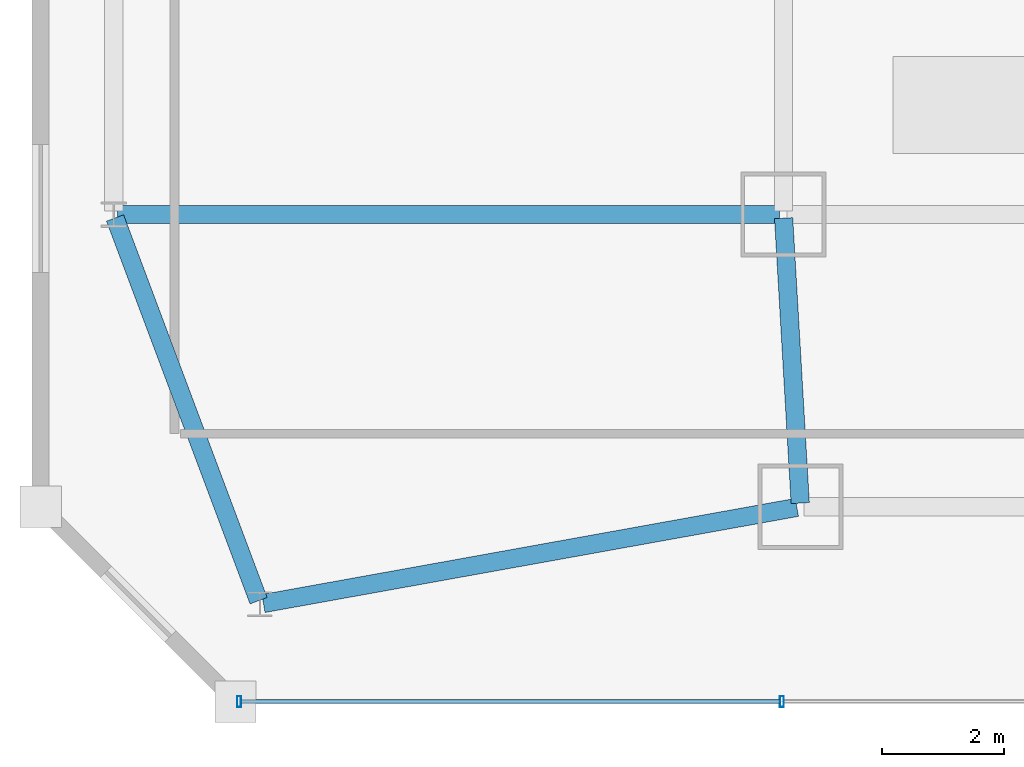
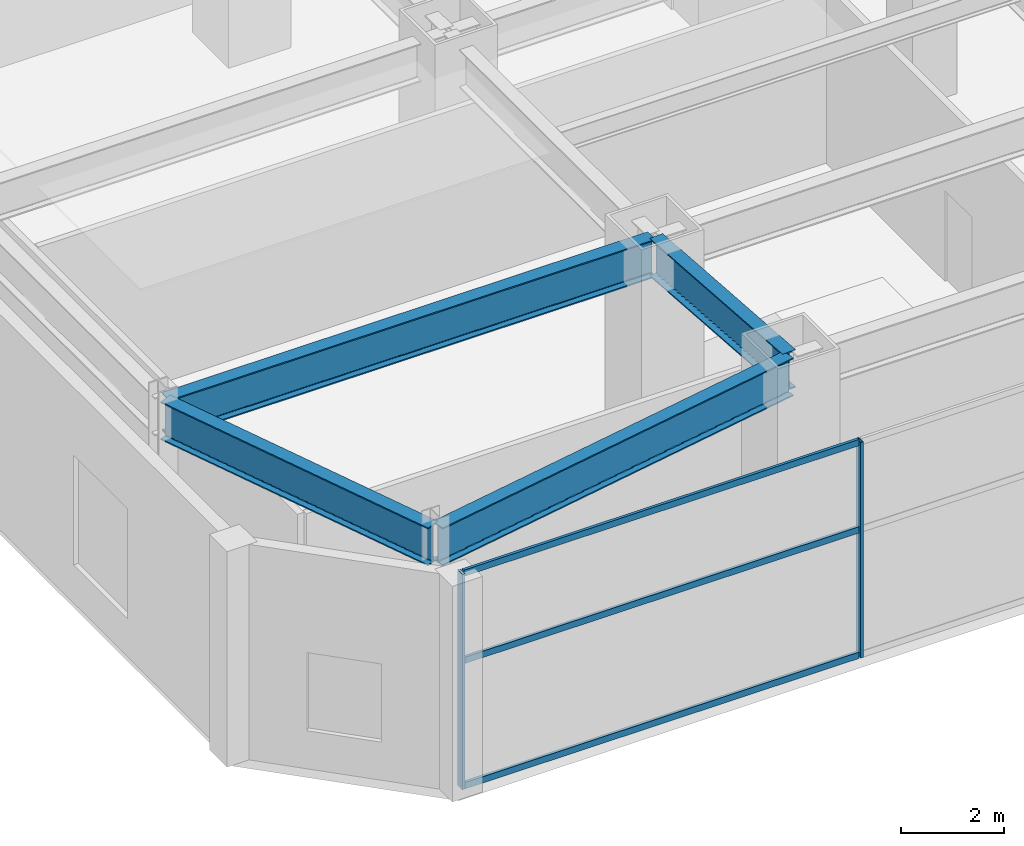
# One storey, part 8 of 52: 5 members, 4 beams, 1 element without a shape of its own.
"""IFC4 building model written with IfcOpenShell, lengths in metres."""

from ifc_helpers import new_model, si_unit, direction, frame, origin, origin_2d, place, context, subcontext, project, spatial, hollow_rectangle, i_section, extrude, material, material_profile, profile_set, type_object, element, aggregate, save


model = new_model("IFC4")

# Units and contexts
model_context = context("Model", 3, precision=1e-05, world=origin(), true_north=direction((0.0, 1.0)))
body_context = subcontext(model_context, "Body", "Model", "MODEL_VIEW")
ifc_project = project(units=[si_unit("LENGTHUNIT", "METRE"), si_unit("AREAUNIT", "SQUARE_METRE"), si_unit("VOLUMEUNIT", "CUBIC_METRE"), si_unit("PLANEANGLEUNIT", "RADIAN"), si_unit("MASSUNIT", "GRAM", prefix="KILO")], contexts=[model_context])

# Site, building, storey
site_placement = place(None, origin())
site = spatial("IfcSite", under=ifc_project, at=site_placement, CompositionType="ELEMENT")
building_placement = place(site_placement, origin())
building = spatial("IfcBuilding", under=site, at=building_placement, Name="Saevonmaru Cultural Tower", CompositionType="ELEMENT")
storey_placement = place(building_placement, frame((0.0, 0.0, 16.800048828125)))
storey = spatial("IfcBuildingStorey", under=building, at=storey_placement, Name="L03", CompositionType="ELEMENT", Elevation=16.800048828125)

# Beams
ifc_material_1 = material(Name="Steel SM420", Category="steel")
ifc_material_profile_1 = material_profile(ifc_material_1, i_section(OverallWidth=0.300048828125, OverallDepth=0.89990234375, WebThickness=0.01611328125, FlangeThickness=0.028076171875, FilletRadius=0.028076171875, at=origin_2d()), Name="H-900x300x16x28")
ifc_profile_set_1 = profile_set([ifc_material_profile_1], Name="Steel SM420")
beam_type = type_object("IfcBeamType", Name="BM-G-H900", PredefinedType="BEAM", material=ifc_profile_set_1)
beam_1_placement = place(storey_placement, frame((12.4765625, 3.260009765625, 4.64990234375), z_axis=(-0.058221363278, 0.998303697708, 0.0), x_axis=(-0.998303697708, -0.058221363278, 0.0)))
element("IfcBeam", 1, at=beam_1_placement, inside=storey, type_object=beam_type, Name="L03 Podium Girder NS1-1", PredefinedType="BEAM", context=body_context, shape_type="SweptSolid", body=[
    extrude(i_section(OverallWidth=0.300048828125, OverallDepth=0.89990234375, WebThickness=0.01611328125, FlangeThickness=0.028076171875, FilletRadius=0.028076171875, at=origin_2d()), origin(), (0.0, 0.0, 1.0), 4.688232421875),
])
beam_2_placement = place(storey_placement, frame((1.260009765625, 8.0, 4.64990234375), z_axis=(1.0, 0.0, 0.0), x_axis=(0.0, 1.0, 0.0)))
element("IfcBeam", 2, at=beam_2_placement, inside=storey, type_object=beam_type, Name="BM-POD-OW-1-L03", PredefinedType="BEAM", context=body_context, shape_type="SweptSolid", body=[
    extrude(i_section(OverallWidth=0.300048828125, OverallDepth=0.89990234375, WebThickness=0.01611328125, FlangeThickness=0.028076171875, FilletRadius=0.028076171875, at=origin_2d()), origin(), (0.0, 0.0, 1.0), 10.8798828125),
])
beam_3_placement = place(storey_placement, frame((3.658935546875, 1.610595703125, 4.64990234375), z_axis=(0.984149934695, 0.177338394151, 0.0), x_axis=(-0.177338394151, 0.984149934695, 0.0)))
element("IfcBeam", 3, at=beam_3_placement, inside=storey, type_object=beam_type, Name="BM-POD-PS-1-L03", PredefinedType="BEAM", context=body_context, shape_type="SweptSolid", body=[
    extrude(i_section(OverallWidth=0.300048828125, OverallDepth=0.89990234375, WebThickness=0.01611328125, FlangeThickness=0.028076171875, FilletRadius=0.028076171875, at=origin_2d()), origin(), (0.0, 0.0, 1.0), 8.903076171875),
])
beam_4_placement = place(storey_placement, frame((3.578857421875, 1.65625, 4.64990234375), z_axis=(-0.351099535502, 0.936338142003, 0.0), x_axis=(-0.936338142003, -0.351099535502, 0.0)))
element("IfcBeam", 4, at=beam_4_placement, inside=storey, type_object=beam_type, Name="BM-POD-PS-3-L03", PredefinedType="BEAM", context=body_context, shape_type="SweptSolid", body=[
    extrude(i_section(OverallWidth=0.300048828125, OverallDepth=0.89990234375, WebThickness=0.01611328125, FlangeThickness=0.028076171875, FilletRadius=0.028076171875, at=origin_2d()), origin(), (0.0, 0.0, 1.0), 6.715087890625),
])

# Curtain wall, members
ifc_material_2 = material(Name="Satin Bronze Anodised Aluminium", Category="aluminium")
curtain_wall_type = type_object("IfcCurtainWallType", Name="CW-POD-GLZ", PredefinedType="NOTDEFINED", material=ifc_material_2)
curtain_wall_placement = place(storey_placement, origin())
curtain_wall = element("IfcCurtainWall", 5, at=curtain_wall_placement, inside=storey, type_object=curtain_wall_type, Name="L03 South Grand Foyer Curtain Wall", PredefinedType="NOTDEFINED")
ifc_material_profile_2 = material_profile(ifc_material_2, hollow_rectangle(XDim=0.06494140625, YDim=0.179931640625, WallThickness=0.00390625, at=origin_2d()), Name="ALU-MULL-180x65x4")
ifc_profile_set_2 = profile_set([ifc_material_profile_2], Name="Satin Bronze Anodised Aluminium")
member_type_1 = type_object("IfcMemberType", Name="ML-CW-180x65", PredefinedType="MULLION", material=ifc_profile_set_2)
member_1_placement = place(storey_placement, frame((3.260009765625, 0.0, 0.0), z_axis=(0.0, 0.0, 1.0), x_axis=(1.0, 0.0, 0.0)))
member_1 = element("IfcMember", 6, at=member_1_placement, type_object=member_type_1, Name="CW-POD-S-L03 mullion 1", PredefinedType="MULLION", context=body_context, shape_type="SweptSolid", body=[
    extrude(hollow_rectangle(XDim=0.06494140625, YDim=0.179931640625, WallThickness=0.00390625, at=origin_2d()), origin(), (0.0, 0.0, 1.0), 5.099853515625),
])
member_2_placement = place(storey_placement, frame((12.17333984375, 0.0, 0.0), z_axis=(0.0, 0.0, 1.0), x_axis=(1.0, 0.0, 0.0)))
member_2 = element("IfcMember", 7, at=member_2_placement, type_object=member_type_1, Name="CW-POD-S-L03 mullion 2", PredefinedType="MULLION", context=body_context, shape_type="SweptSolid", body=[
    extrude(hollow_rectangle(XDim=0.06494140625, YDim=0.179931640625, WallThickness=0.00390625, at=origin_2d()), origin(), (0.0, 0.0, 1.0), 5.099853515625),
])
ifc_material_profile_3 = material_profile(ifc_material_2, hollow_rectangle(XDim=0.06494140625, YDim=0.14990234375, WallThickness=0.00390625, at=origin_2d()), Name="ALU-TRAN-150x65x4")
ifc_profile_set_3 = profile_set([ifc_material_profile_3], Name="Satin Bronze Anodised Aluminium")
member_type_2 = type_object("IfcMemberType", Name="TR-CW-150x65", PredefinedType="USERDEFINED", material=ifc_profile_set_3)
member_3_placement = place(storey_placement, frame((3.29248046875, 0.0, 0.032470703125), z_axis=(1.0, 0.0, 0.0), x_axis=(0.0, 1.0, 0.0)))
member_3 = element("IfcMember", 8, at=member_3_placement, type_object=member_type_2, Name="CW-POD-S-L03 transom 1.1", ObjectType="TRANSOM", PredefinedType="USERDEFINED", context=body_context, shape_type="SweptSolid", body=[
    extrude(hollow_rectangle(XDim=0.06494140625, YDim=0.14990234375, WallThickness=0.00390625, at=origin_2d()), origin(), (0.0, 0.0, 1.0), 8.848388671875),
])
member_4_placement = place(storey_placement, frame((3.29248046875, 0.0, 3.0), z_axis=(1.0, 0.0, 0.0), x_axis=(0.0, 1.0, 0.0)))
member_4 = element("IfcMember", 9, at=member_4_placement, type_object=member_type_2, Name="CW-POD-S-L03 transom 1.2", ObjectType="TRANSOM", PredefinedType="USERDEFINED", context=body_context, shape_type="SweptSolid", body=[
    extrude(hollow_rectangle(XDim=0.06494140625, YDim=0.14990234375, WallThickness=0.00390625, at=origin_2d()), origin(), (0.0, 0.0, 1.0), 8.848388671875),
])
member_5_placement = place(storey_placement, frame((3.29248046875, 0.0, 5.0673828125), z_axis=(1.0, 0.0, 0.0), x_axis=(0.0, 1.0, 0.0)))
member_5 = element("IfcMember", 10, at=member_5_placement, type_object=member_type_2, Name="CW-POD-S-L03 transom 1.3", ObjectType="TRANSOM", PredefinedType="USERDEFINED", context=body_context, shape_type="SweptSolid", body=[
    extrude(hollow_rectangle(XDim=0.06494140625, YDim=0.14990234375, WallThickness=0.00390625, at=origin_2d()), origin(), (0.0, 0.0, 1.0), 8.848388671875),
])
aggregate(curtain_wall, [member_1, member_2, member_3, member_4, member_5])

save(model, "model.ifc")
